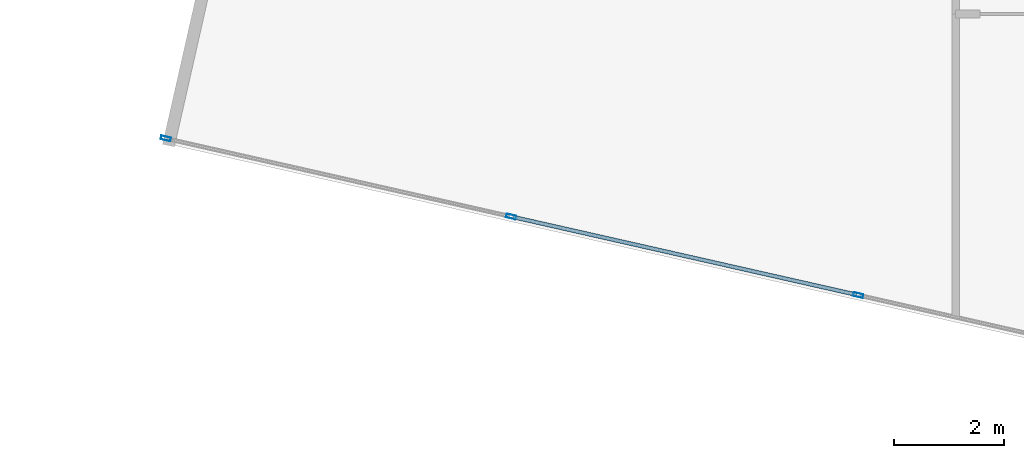
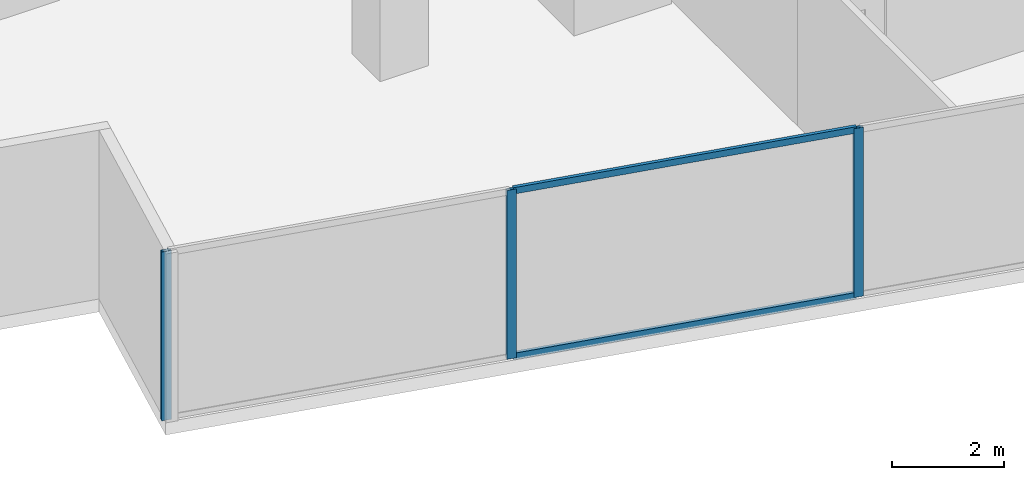
# One storey, part 2 of 26: 5 members, 1 element without a shape of its own.
"""IFC4 building model written with IfcOpenShell, lengths in metres."""

from ifc_helpers import new_model, si_unit, direction, frame, origin, origin_2d, place, context, subcontext, project, spatial, hollow_rectangle, extrude, source, transform, mapped, material, material_profile, profile_set, type_object, type_shapes, element, aggregate, save


model = new_model("IFC4")

# Units and contexts
model_context = context("Model", 3, precision=1e-05, world=origin(), true_north=direction((0.0, 1.0)))
body_context = subcontext(model_context, "Body", "Model", "MODEL_VIEW")
ifc_project = project(units=[si_unit("LENGTHUNIT", "METRE"), si_unit("AREAUNIT", "SQUARE_METRE"), si_unit("VOLUMEUNIT", "CUBIC_METRE"), si_unit("PLANEANGLEUNIT", "RADIAN"), si_unit("MASSUNIT", "GRAM", prefix="KILO")], contexts=[model_context])

# Site, building, storey
site_placement = place(None, origin())
site = spatial("IfcSite", under=ifc_project, at=site_placement, CompositionType="ELEMENT")
building_placement = place(site_placement, origin())
building = spatial("IfcBuilding", under=site, at=building_placement, Name="Krantzveldt Concourse Tower", CompositionType="ELEMENT")
storey_placement = place(building_placement, frame((0.0, 0.0, 94.0)))
storey = spatial("IfcBuildingStorey", under=building, at=storey_placement, Name="L22", CompositionType="ELEMENT", Elevation=94.0)

# Curtain wall, members
ifc_material = material(Name="Anodised aluminium 6063-T6", Category="aluminium")
curtain_wall_type = type_object("IfcCurtainWallType", Name="CW2", PredefinedType="USERDEFINED", material=ifc_material)
curtain_wall_placement = place(storey_placement, origin())
curtain_wall = element("IfcCurtainWall", 1, at=curtain_wall_placement, inside=storey, type_object=curtain_wall_type, Name="CW-L22-F04", ObjectType="UNITISED CURTAIN WALL", PredefinedType="USERDEFINED")
ifc_material_profile_1 = material_profile(ifc_material, hollow_rectangle(XDim=0.070068359375, YDim=0.179931640625, WallThickness=0.0048828125, at=origin_2d()), Name="Anodised aluminium 6063-T6", Category="aluminium")
ifc_profile_set_1 = profile_set([ifc_material_profile_1], Name="Anodised aluminium 6063-T6 - ALU-MULL 180x70x5")
member_type_1 = type_object("IfcMemberType", Name="CW-MUL-180", PredefinedType="MULLION", material=ifc_profile_set_1)
shared_shape_1 = source(origin(), body_context, "Body", "SweptSolid", [
    extrude(hollow_rectangle(XDim=0.070068359375, YDim=0.179931640625, WallThickness=0.0048828125, at=origin_2d()), origin(), (0.0, 0.0, 1.0), 3.669921875),
])
type_shapes(member_type_1, [shared_shape_1])
member_1_placement = place(storey_placement, frame((11.968017578125, 8.238525390625, 0.0), z_axis=(0.0, 0.0, 1.0), x_axis=(0.220697434579, 0.975342320609, 0.0)))
member_1 = element("IfcMember", 2, at=member_1_placement, type_object=member_type_1, Name="CW-Z12 mullion 1", PredefinedType="MULLION", context=body_context, shape_type="MappedRepresentation", body=[
    mapped(shared_shape_1, transform((0.0, 0.0, 0.0), x_axis=(1.0, 0.0, 0.0), y_axis=(0.0, 1.0, 0.0), z_axis=(0.0, 0.0, 1.0), scale=1.0)),
])
member_2_placement = place(storey_placement, frame((18.2412109375, 6.819091796875, 0.0), z_axis=(0.0, 0.0, 1.0), x_axis=(0.220697434579, 0.975342320609, 0.0)))
member_2 = element("IfcMember", 3, at=member_2_placement, type_object=member_type_1, Name="CW-Z12 mullion 2", PredefinedType="MULLION", context=body_context, shape_type="MappedRepresentation", body=[
    mapped(shared_shape_1, transform((0.0, 0.0, 0.0), x_axis=(1.0, 0.0, 0.0), y_axis=(0.0, 1.0, 0.0), z_axis=(0.0, 0.0, 1.0), scale=1.0)),
])
member_3_placement = place(storey_placement, frame((24.54833984375, 5.391845703125, 0.0), z_axis=(0.0, 0.0, 1.0), x_axis=(0.220697434579, 0.975342320609, 0.0)))
member_3 = element("IfcMember", 4, at=member_3_placement, type_object=member_type_1, Name="CW-Z12 mullion 3", PredefinedType="MULLION", context=body_context, shape_type="MappedRepresentation", body=[
    mapped(shared_shape_1, transform((0.0, 0.0, 0.0), x_axis=(1.0, 0.0, 0.0), y_axis=(0.0, 1.0, 0.0), z_axis=(0.0, 0.0, 1.0), scale=1.0)),
])
ifc_material_profile_2 = material_profile(ifc_material, hollow_rectangle(XDim=0.070068359375, YDim=0.139892578125, WallThickness=0.0048828125, at=origin_2d()), Name="Anodised aluminium 6063-T6", Category="aluminium")
ifc_profile_set_2 = profile_set([ifc_material_profile_2], Name="Anodised aluminium 6063-T6 - ALU-TRAN 140x70x5")
member_type_2 = type_object("IfcMemberType", Name="CW-TRN-150", PredefinedType="USERDEFINED", material=ifc_profile_set_2)
shared_shape_2 = source(origin(), body_context, "Body", "SweptSolid", [
    extrude(hollow_rectangle(XDim=0.070068359375, YDim=0.139892578125, WallThickness=0.0048828125, at=origin_2d()), origin(), (0.0, 0.0, 1.0), 6.396728515625),
])
type_shapes(member_type_2, [shared_shape_2])
member_4_placement = place(storey_placement, frame((18.275146484375, 6.811279296875, 0.034912109375), z_axis=(0.975346478519, -0.220679058454, 0.0), x_axis=(0.220679058454, 0.975346478519, 0.0)))
member_4 = element("IfcMember", 5, at=member_4_placement, type_object=member_type_2, Name="CW-Z12 transom 2.1", ObjectType="TRANSOM", PredefinedType="USERDEFINED", context=body_context, shape_type="MappedRepresentation", body=[
    mapped(shared_shape_2, transform((0.0, 0.0, 0.0), x_axis=(1.0, 0.0, 0.0), y_axis=(0.0, 1.0, 0.0), z_axis=(0.0, 0.0, 1.0), scale=1.0)),
])
member_5_placement = place(storey_placement, frame((18.275146484375, 6.811279296875, 3.635009765625), z_axis=(0.975346478519, -0.220679058454, 0.0), x_axis=(0.220679058454, 0.975346478519, 0.0)))
member_5 = element("IfcMember", 6, at=member_5_placement, type_object=member_type_2, Name="CW-Z12 transom 2.2", ObjectType="TRANSOM", PredefinedType="USERDEFINED", context=body_context, shape_type="MappedRepresentation", body=[
    mapped(shared_shape_2, transform((0.0, 0.0, 0.0), x_axis=(1.0, 0.0, 0.0), y_axis=(0.0, 1.0, 0.0), z_axis=(0.0, 0.0, 1.0), scale=1.0)),
])
aggregate(curtain_wall, [member_1, member_2, member_3, member_4, member_5])

save(model, "model.ifc")
